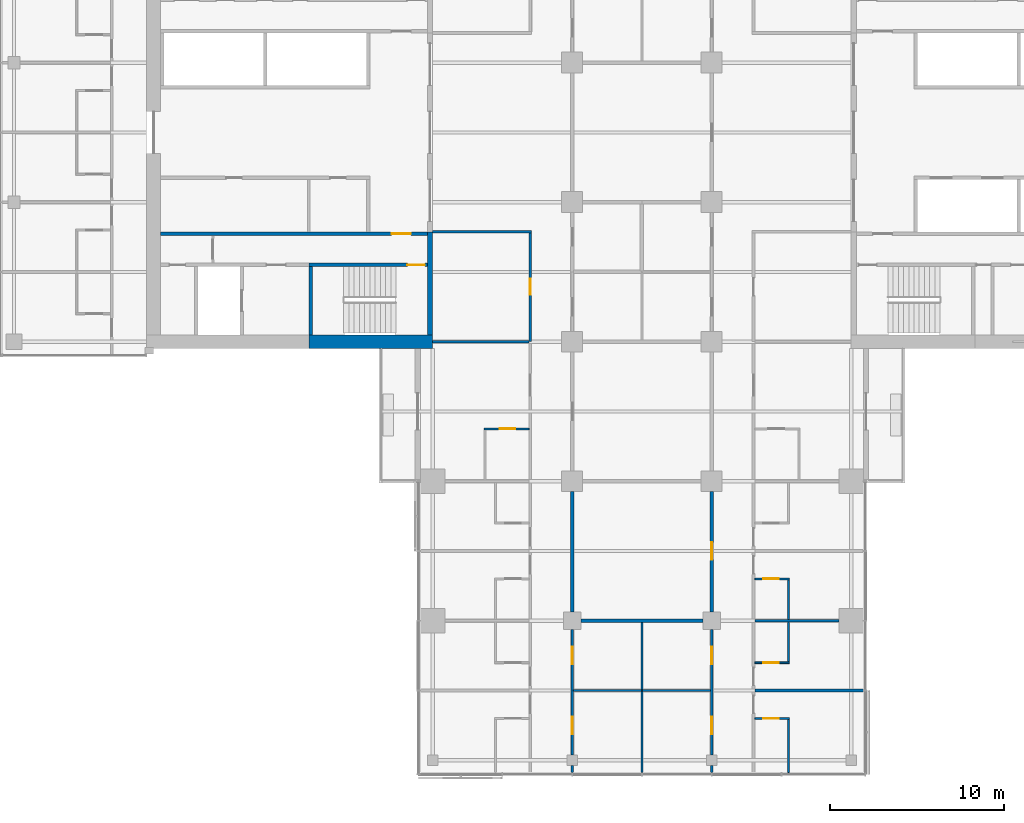
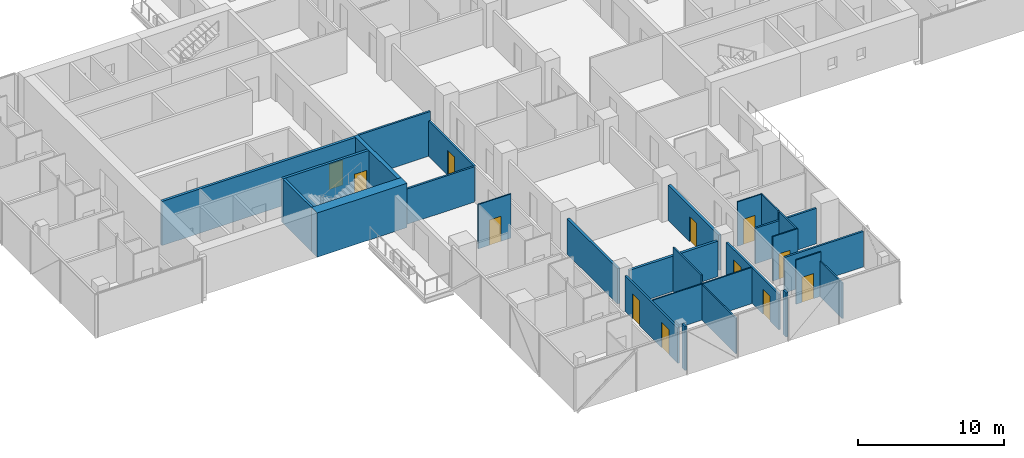
# One storey, part 16 of 29: 27 walls, 12 doors, 12 openings.
"""IFC4 building model written with IfcOpenShell, lengths in metres."""

from ifc_helpers import new_model, si_unit, direction, frame, frame_2d, origin, place, context, subcontext, project, spatial, rectangle, extrude, material, layer, layer_set, constituent, constituent_set, type_object, element, fill, save


model = new_model("IFC4")

# Units and contexts
model_context = context("Model", 3, precision=1e-05, world=origin(), true_north=direction((0.0, 1.0)))
body_context = subcontext(model_context, "Body", "Model", "MODEL_VIEW")
ifc_project = project(units=[si_unit("LENGTHUNIT", "METRE"), si_unit("AREAUNIT", "SQUARE_METRE"), si_unit("VOLUMEUNIT", "CUBIC_METRE"), si_unit("PLANEANGLEUNIT", "RADIAN"), si_unit("MASSUNIT", "GRAM", prefix="KILO")], contexts=[model_context])

# Site, building, storey
site_placement = place(None, origin())
site = spatial("IfcSite", under=ifc_project, at=site_placement, CompositionType="ELEMENT")
building_placement = place(site_placement, origin())
building = spatial("IfcBuilding", under=site, at=building_placement, Name="Crosswind Convention Tower", CompositionType="ELEMENT")
storey_placement = place(building_placement, frame((0.0, 0.0, 57.199951171875)))
storey = spatial("IfcBuildingStorey", under=building, at=storey_placement, Name="L08", CompositionType="ELEMENT", Elevation=57.199951171875)

# Wall
ifc_material_1 = material(Name="Plasterboard partition", Category="gypsum")
ifc_layer_1 = layer(ifc_material_1, 0.14990234375)
ifc_layer_set_1 = layer_set([ifc_layer_1], Name="CORRIDOR WALL 150")
wall_type_1 = type_object("IfcWallType", Name="CORRIDOR WALL 150", PredefinedType="PARTITIONING", material=ifc_layer_set_1)
wall_1_placement = place(storey_placement, frame((113.0, 94.300048828125, 0.0), z_axis=(0.0, 0.0, 1.0), x_axis=(1.0, 0.0, 0.0)))
element("IfcWall", 1, at=wall_1_placement, inside=storey, type_object=wall_type_1, Name="Corridor Wall 31", PredefinedType="PARTITIONING", context=body_context, shape_type="SweptSolid", body=[
    extrude(rectangle(XDim=5.675048828125, YDim=0.14990234375, at=frame_2d((2.83740234375, 0.0))), origin(), (0.0, 0.0, 1.0), 3.699951171875),
])

# Wall, opening, door
wall_2_placement = place(storey_placement, frame((118.60009765625, 88.0, 0.0), z_axis=(0.0, 0.0, 1.0), x_axis=(0.0, 1.0, 0.0)))
wall_2 = element("IfcWall", 2, at=wall_2_placement, inside=storey, type_object=wall_type_1, Name="Corridor Wall 104", PredefinedType="PARTITIONING", context=body_context, shape_type="SweptSolid", body=[
    extrude(rectangle(XDim=6.22509765625, YDim=0.14990234375, at=frame_2d((3.112548828125, 0.0))), origin(), (0.0, 0.0, 1.0), 2.95654296875),
])
opening_1_placement = place(wall_2_placement, frame((2.699951171875, 0.0, 0.0)))
opening_1 = element("IfcOpeningElement", 3, at=opening_1_placement, cuts=wall_2, Name="Opening 08.004", PredefinedType="OPENING", context=body_context, shape_type="SweptSolid", body=[
    extrude(rectangle(XDim=0.89990234375, YDim=2.10009765625, at=frame_2d((0.449951171875, 1.050048828125))), frame((0.0, 0.0849609375, 0.0), z_axis=(0.0, -1.0, 0.0), x_axis=(1.0, 0.0, 0.0)), (0.0, 0.0, 1.0), 0.169921875),
])
ifc_material_2 = material(Name="Timber door", Category="wood")
door_type_1 = type_object("IfcDoorType", Name="WC DOOR 900X2100", OperationType="NOTDEFINED", PredefinedType="DOOR", material=ifc_material_2)
door_1_placement = place(opening_1_placement, origin())
door_1 = element("IfcDoor", 4, at=door_1_placement, inside=storey, type_object=door_type_1, Name="Door 08.004", ObjectType="D7", OperationType="SINGLE_SWING_RIGHT", OverallHeight=2.10009765625, OverallWidth=0.89990234375, PredefinedType="DOOR", context=body_context, shape_type="SweptSolid", body=[
    extrude(rectangle(XDim=0.89990234375, YDim=2.10009765625, at=frame_2d((0.449951171875, 1.050048828125))), frame((0.0, 0.02490234375, 0.0), z_axis=(0.0, -1.0, 0.0), x_axis=(1.0, 0.0, 0.0)), (0.0, 0.0, 1.0), 0.050048828125),
])
fill(opening_1, door_1)

# Wall
wall_3_placement = place(storey_placement, frame((121.0, 63.300048828125, 0.0), z_axis=(0.0, 0.0, 1.0), x_axis=(0.0, 1.0, 0.0)))
element("IfcWall", 5, at=wall_3_placement, inside=storey, type_object=wall_type_1, Name="Corridor Wall 107", PredefinedType="PARTITIONING", context=body_context, shape_type="SweptSolid", body=[
    extrude(rectangle(XDim=0.39990234375, YDim=0.14990234375, at=frame_2d((0.199951171875, 0.0))), origin(), (0.0, 0.0, 1.0), 3.699951171875),
])

# Wall, openings, doors
wall_4_placement = place(storey_placement, frame((121.0, 64.300048828125, 0.0), z_axis=(0.0, 0.0, 1.0), x_axis=(0.0, 1.0, 0.0)))
wall_4 = element("IfcWall", 6, at=wall_4_placement, inside=storey, type_object=wall_type_1, Name="Corridor Wall 108", PredefinedType="PARTITIONING", context=body_context, shape_type="SweptSolid", body=[
    extrude(rectangle(XDim=7.199951171875, YDim=0.14990234375, at=frame_2d((3.60009765625, 0.0))), origin(), (0.0, 0.0, 1.0), 2.9599609375),
])
opening_2_placement = place(wall_4_placement, frame((1.199951171875, 0.0, 0.0)))
opening_2 = element("IfcOpeningElement", 7, at=opening_2_placement, cuts=wall_4, Name="Opening 08.069", PredefinedType="OPENING", context=body_context, shape_type="SweptSolid", body=[
    extrude(rectangle(XDim=1.0, YDim=2.10009765625, at=frame_2d((0.5, 1.050048828125))), frame((0.0, 0.0849609375, 0.0), z_axis=(0.0, -1.0, 0.0), x_axis=(1.0, 0.0, 0.0)), (0.0, 0.0, 1.0), 0.169921875),
])
opening_3_placement = place(wall_4_placement, frame((5.199951171875, 0.0, 0.0)))
opening_3 = element("IfcOpeningElement", 8, at=opening_3_placement, cuts=wall_4, Name="Opening 08.070", PredefinedType="OPENING", context=body_context, shape_type="SweptSolid", body=[
    extrude(rectangle(XDim=1.0, YDim=2.10009765625, at=frame_2d((0.5, 1.050048828125))), frame((0.0, 0.0849609375, 0.0), z_axis=(0.0, -1.0, 0.0), x_axis=(1.0, 0.0, 0.0)), (0.0, 0.0, 1.0), 0.169921875),
])
ifc_material_3 = material(Name="Timber fire door", Category="wood")
door_type_2 = type_object("IfcDoorType", Name="SERVICE ROOM DOOR 1000X2100", OperationType="NOTDEFINED", PredefinedType="DOOR", material=ifc_material_3)
door_2_placement = place(opening_2_placement, frame((1.0, 0.0, 0.0), z_axis=(0.0, 0.0, 1.0), x_axis=(-1.0, 0.0, 0.0)))
door_2 = element("IfcDoor", 9, at=door_2_placement, inside=storey, type_object=door_type_2, Name="Door 08.069", ObjectType="D3", OperationType="SINGLE_SWING_RIGHT", OverallHeight=2.10009765625, OverallWidth=1.0, PredefinedType="DOOR", context=body_context, shape_type="SweptSolid", body=[
    extrude(rectangle(XDim=1.0, YDim=2.10009765625, at=frame_2d((0.5, 1.050048828125))), frame((0.0, 0.02490234375, 0.0), z_axis=(0.0, -1.0, 0.0), x_axis=(1.0, 0.0, 0.0)), (0.0, 0.0, 1.0), 0.050048828125),
])
fill(opening_2, door_2)
door_3_placement = place(opening_3_placement, frame((1.0, 0.0, 0.0), z_axis=(0.0, 0.0, 1.0), x_axis=(-1.0, 0.0, 0.0)))
door_3 = element("IfcDoor", 10, at=door_3_placement, inside=storey, type_object=door_type_2, Name="Door 08.070", ObjectType="D3", OperationType="SINGLE_SWING_LEFT", OverallHeight=2.10009765625, OverallWidth=1.0, PredefinedType="DOOR", context=body_context, shape_type="SweptSolid", body=[
    extrude(rectangle(XDim=1.0, YDim=2.10009765625, at=frame_2d((0.5, 1.050048828125))), frame((0.0, 0.02490234375, 0.0), z_axis=(0.0, -1.0, 0.0), x_axis=(1.0, 0.0, 0.0)), (0.0, 0.0, 1.0), 0.050048828125),
])
fill(opening_3, door_3)

# Wall
wall_5_placement = place(storey_placement, frame((129.0, 63.300048828125, 0.0), z_axis=(0.0, 0.0, 1.0), x_axis=(0.0, 1.0, 0.0)))
element("IfcWall", 11, at=wall_5_placement, inside=storey, type_object=wall_type_1, Name="Corridor Wall 128", PredefinedType="PARTITIONING", context=body_context, shape_type="SweptSolid", body=[
    extrude(rectangle(XDim=0.39990234375, YDim=0.14990234375, at=frame_2d((0.199951171875, 0.0))), origin(), (0.0, 0.0, 1.0), 3.699951171875),
])

# Wall, openings, doors
wall_6_placement = place(storey_placement, frame((129.0, 64.300048828125, 0.0), z_axis=(0.0, 0.0, 1.0), x_axis=(0.0, 1.0, 0.0)))
wall_6 = element("IfcWall", 12, at=wall_6_placement, inside=storey, type_object=wall_type_1, Name="Corridor Wall 129", PredefinedType="PARTITIONING", context=body_context, shape_type="SweptSolid", body=[
    extrude(rectangle(XDim=7.199951171875, YDim=0.14990234375, at=frame_2d((3.60009765625, 0.0))), origin(), (0.0, 0.0, 1.0), 2.9599609375),
])
opening_4_placement = place(wall_6_placement, frame((1.199951171875, 0.0, 0.0)))
opening_4 = element("IfcOpeningElement", 13, at=opening_4_placement, cuts=wall_6, Name="Opening 08.071", PredefinedType="OPENING", context=body_context, shape_type="SweptSolid", body=[
    extrude(rectangle(XDim=1.0, YDim=2.10009765625, at=frame_2d((0.5, 1.050048828125))), frame((0.0, 0.0849609375, 0.0), z_axis=(0.0, -1.0, 0.0), x_axis=(1.0, 0.0, 0.0)), (0.0, 0.0, 1.0), 0.169921875),
])
opening_5_placement = place(wall_6_placement, frame((5.199951171875, 0.0, 0.0)))
opening_5 = element("IfcOpeningElement", 14, at=opening_5_placement, cuts=wall_6, Name="Opening 08.072", PredefinedType="OPENING", context=body_context, shape_type="SweptSolid", body=[
    extrude(rectangle(XDim=1.0, YDim=2.10009765625, at=frame_2d((0.5, 1.050048828125))), frame((0.0, 0.0849609375, 0.0), z_axis=(0.0, -1.0, 0.0), x_axis=(1.0, 0.0, 0.0)), (0.0, 0.0, 1.0), 0.169921875),
])
door_4_placement = place(opening_4_placement, origin())
door_4 = element("IfcDoor", 15, at=door_4_placement, inside=storey, type_object=door_type_2, Name="Door 08.071", ObjectType="D3", OperationType="SINGLE_SWING_LEFT", OverallHeight=2.10009765625, OverallWidth=1.0, PredefinedType="DOOR", context=body_context, shape_type="SweptSolid", body=[
    extrude(rectangle(XDim=1.0, YDim=2.10009765625, at=frame_2d((0.5, 1.050048828125))), frame((0.0, 0.02490234375, 0.0), z_axis=(0.0, -1.0, 0.0), x_axis=(1.0, 0.0, 0.0)), (0.0, 0.0, 1.0), 0.050048828125),
])
fill(opening_4, door_4)
door_5_placement = place(opening_5_placement, origin())
door_5 = element("IfcDoor", 16, at=door_5_placement, inside=storey, type_object=door_type_2, Name="Door 08.072", ObjectType="D3", OperationType="SINGLE_SWING_RIGHT", OverallHeight=2.10009765625, OverallWidth=1.0, PredefinedType="DOOR", context=body_context, shape_type="SweptSolid", body=[
    extrude(rectangle(XDim=1.0, YDim=2.10009765625, at=frame_2d((0.5, 1.050048828125))), frame((0.0, 0.02490234375, 0.0), z_axis=(0.0, -1.0, 0.0), x_axis=(1.0, 0.0, 0.0)), (0.0, 0.0, 1.0), 0.050048828125),
])
fill(opening_5, door_5)

# Wall
ifc_material_4 = material(Name="Concrete C50/60", Category="concrete")
ifc_layer_2 = layer(ifc_material_4, 0.300048828125)
ifc_layer_set_2 = layer_set([ifc_layer_2], Name="Concrete C50/60")
wall_type_2 = type_object("IfcWallType", Name="Concrete inner core wall 300", PredefinedType="SHEAR", material=ifc_layer_set_2)
wall_7_placement = place(storey_placement, frame((112.85009765625, 94.300048828125, 0.0), z_axis=(0.0, 0.0, 1.0), x_axis=(0.0, -1.0, 0.0)))
element("IfcWall", 17, at=wall_7_placement, inside=storey, type_object=wall_type_2, Name="Wall EP W L08", PredefinedType="SHEAR", context=body_context, shape_type="SweptSolid", body=[
    extrude(rectangle(XDim=5.900146484375, YDim=0.300048828125, at=frame_2d((2.9501953125, 0.0))), origin(), (0.0, 0.0, 1.0), 3.699951171875),
])

# Wall, opening, door
ifc_layer_3 = layer(ifc_material_4, 0.199951171875)
ifc_layer_set_3 = layer_set([ifc_layer_3], Name="Concrete C50/60")
wall_type_3 = type_object("IfcWallType", Name="Concrete shaft and stair wall 200", PredefinedType="SHEAR", material=ifc_layer_set_3)
wall_8_placement = place(storey_placement, frame((112.699951171875, 94.199951171875, 0.0), z_axis=(0.0, 0.0, 1.0), x_axis=(-1.0, 0.0, 0.0)))
wall_8 = element("IfcWall", 18, at=wall_8_placement, inside=storey, type_object=wall_type_3, Name="Wall HP W L08", PredefinedType="SHEAR", context=body_context, shape_type="SweptSolid", body=[
    extrude(rectangle(XDim=15.300048828125, YDim=0.199951171875, at=frame_2d((7.64990234375, 0.0))), origin(), (0.0, 0.0, 1.0), 3.699951171875),
])
opening_6_placement = place(wall_8_placement, frame((0.949951171875, 0.0, 0.0)))
opening_6 = element("IfcOpeningElement", 19, at=opening_6_placement, cuts=wall_8, Name="Opening D104", PredefinedType="OPENING", context=body_context, shape_type="SweptSolid", body=[
    extrude(rectangle(XDim=1.10009765625, YDim=2.10009765625, at=frame_2d((0.550048828125, 1.050048828125))), frame((0.0, 0.10986328125, 0.0), z_axis=(0.0, -1.0, 0.0), x_axis=(1.0, 0.0, 0.0)), (0.0, 0.0, 1.0), 0.219970703125),
])
ifc_material_5 = material(Name="Steel fire door", Category="steel")
door_type_3 = type_object("IfcDoorType", Name="Fire-rated single door 1100x2100", OperationType="NOTDEFINED", PredefinedType="DOOR", material=ifc_material_5)
door_6_placement = place(opening_6_placement, origin())
door_6 = element("IfcDoor", 20, at=door_6_placement, inside=storey, type_object=door_type_3, Name="Corridor door L08", ObjectType="D104", OperationType="SINGLE_SWING_LEFT", OverallHeight=2.10009765625, OverallWidth=1.10009765625, PredefinedType="DOOR", context=body_context, shape_type="SweptSolid", body=[
    extrude(rectangle(XDim=1.10009765625, YDim=2.10009765625, at=frame_2d((0.550048828125, 1.050048828125))), frame((0.0, 0.02490234375, 0.0), z_axis=(0.0, -1.0, 0.0), x_axis=(1.0, 0.0, 0.0)), (0.0, 0.0, 1.0), 0.050048828125),
])
fill(opening_6, door_6)

# Wall
wall_9_placement = place(storey_placement, frame((106.0, 92.300048828125, 0.0), z_axis=(0.0, 0.0, 1.0), x_axis=(0.0, -1.0, 0.0)))
element("IfcWall", 21, at=wall_9_placement, inside=storey, type_object=wall_type_3, Name="Wall PSE W L08", PredefinedType="SHEAR", context=body_context, shape_type="SweptSolid", body=[
    extrude(rectangle(XDim=3.900146484375, YDim=0.199951171875, at=frame_2d((1.9501953125, 0.0))), origin(), (0.0, 0.0, 1.0), 3.699951171875),
])

# Wall, opening, door
wall_10_placement = place(storey_placement, frame((112.699951171875, 92.39990234375, 0.0), z_axis=(0.0, 0.0, 1.0), x_axis=(-1.0, 0.0, 0.0)))
wall_10 = element("IfcWall", 22, at=wall_10_placement, inside=storey, type_object=wall_type_3, Name="Wall PCW W L08", PredefinedType="SHEAR", context=body_context, shape_type="SweptSolid", body=[
    extrude(rectangle(XDim=6.800048828125, YDim=0.199951171875, at=frame_2d((3.39990234375, 0.0))), origin(), (0.0, 0.0, 1.0), 3.699951171875),
])
opening_7_placement = place(wall_10_placement, frame((0.14990234375, 0.0, 0.0)))
opening_7 = element("IfcOpeningElement", 23, at=opening_7_placement, cuts=wall_10, Name="Opening D103", PredefinedType="OPENING", context=body_context, shape_type="SweptSolid", body=[
    extrude(rectangle(XDim=1.0, YDim=2.10009765625, at=frame_2d((0.5, 1.050048828125))), frame((0.0, 0.10986328125, 0.0), z_axis=(0.0, -1.0, 0.0), x_axis=(1.0, 0.0, 0.0)), (0.0, 0.0, 1.0), 0.219970703125),
])
door_type_4 = type_object("IfcDoorType", Name="Fire-rated single door 1000x2100", OperationType="NOTDEFINED", PredefinedType="DOOR", material=ifc_material_5)
door_7_placement = place(opening_7_placement, origin())
door_7 = element("IfcDoor", 24, at=door_7_placement, inside=storey, type_object=door_type_4, Name="Stair ST3 door L08", ObjectType="D103", OperationType="SINGLE_SWING_LEFT", OverallHeight=2.10009765625, OverallWidth=1.0, PredefinedType="DOOR", context=body_context, shape_type="SweptSolid", body=[
    extrude(rectangle(XDim=1.0, YDim=2.10009765625, at=frame_2d((0.5, 1.050048828125))), frame((0.0, 0.02490234375, 0.0), z_axis=(0.0, -1.0, 0.0), x_axis=(1.0, 0.0, 0.0)), (0.0, 0.0, 1.0), 0.050048828125),
])
fill(opening_7, door_7)

# Walls
ifc_material_6 = material(Name="Acoustic plasterboard partition", Category="gypsum")
ifc_layer_4 = layer(ifc_material_6, 0.14990234375)
ifc_layer_set_4 = layer_set([ifc_layer_4], Name="GUEST ROOM WALL 150")
wall_type_4 = type_object("IfcWallType", Name="GUEST ROOM WALL 150", PredefinedType="PARTITIONING", material=ifc_layer_set_4)
wall_11_placement = place(storey_placement, frame((131.47509765625, 68.0, 0.0), z_axis=(0.0, 0.0, 1.0), x_axis=(1.0, 0.0, 0.0)))
element("IfcWall", 25, at=wall_11_placement, inside=storey, type_object=wall_type_4, Name="Guest Room Wall 5", PredefinedType="PARTITIONING", context=body_context, shape_type="SweptSolid", body=[
    extrude(rectangle(XDim=6.224853515625, YDim=0.14990234375, at=frame_2d((3.1123046875, 0.0))), origin(), (0.0, 0.0, 1.0), 2.962890625),
])
wall_12_placement = place(storey_placement, frame((131.47509765625, 72.0, 0.0), z_axis=(0.0, 0.0, 1.0), x_axis=(1.0, 0.0, 0.0)))
element("IfcWall", 26, at=wall_12_placement, inside=storey, type_object=wall_type_4, Name="Guest Room Wall 10", PredefinedType="PARTITIONING", context=body_context, shape_type="SweptSolid", body=[
    extrude(rectangle(XDim=4.824951171875, YDim=0.14990234375, at=frame_2d((2.41259765625, 0.0))), origin(), (0.0, 0.0, 1.0), 2.9599609375),
])
wall_13_placement = place(storey_placement, frame((113.0, 88.0, 0.0), z_axis=(0.0, 0.0, 1.0), x_axis=(1.0, 0.0, 0.0)))
element("IfcWall", 27, at=wall_13_placement, inside=storey, type_object=wall_type_4, Name="Guest Room Wall 22", PredefinedType="PARTITIONING", context=body_context, shape_type="SweptSolid", body=[
    extrude(rectangle(XDim=5.52490234375, YDim=0.14990234375, at=frame_2d((2.762451171875, 0.0))), origin(), (0.0, 0.0, 1.0), 2.95654296875),
])
ifc_material_7 = material(Name="Double plasterboard partition", Category="gypsum")
ifc_layer_5 = layer(ifc_material_7, 0.199951171875)
ifc_layer_set_5 = layer_set([ifc_layer_5], Name="HALL WALL 200")
wall_type_5 = type_object("IfcWallType", Name="HALL WALL 200", PredefinedType="PARTITIONING", material=ifc_layer_set_5)
wall_14_placement = place(storey_placement, frame((121.5, 72.0, 0.0), z_axis=(0.0, 0.0, 1.0), x_axis=(1.0, 0.0, 0.0)))
element("IfcWall", 28, at=wall_14_placement, inside=storey, type_object=wall_type_5, Name="Hall Wall 9", PredefinedType="PARTITIONING", context=body_context, shape_type="SweptSolid", body=[
    extrude(rectangle(XDim=7.0, YDim=0.199951171875, at=frame_2d((3.5, 0.0))), origin(), (0.0, 0.0, 1.0), 2.9599609375),
])
wall_15_placement = place(storey_placement, frame((121.0, 72.5, 0.0), z_axis=(0.0, 0.0, 1.0), x_axis=(0.0, 1.0, 0.0)))
element("IfcWall", 29, at=wall_15_placement, inside=storey, type_object=wall_type_5, Name="Hall Wall 109", PredefinedType="PARTITIONING", context=body_context, shape_type="SweptSolid", body=[
    extrude(rectangle(XDim=6.89990234375, YDim=0.199951171875, at=frame_2d((3.449951171875, 0.0))), origin(), (0.0, 0.0, 1.0), 2.9599609375),
])

# Wall, opening, door
wall_16_placement = place(storey_placement, frame((129.0, 72.5, 0.0), z_axis=(0.0, 0.0, 1.0), x_axis=(0.0, 1.0, 0.0)))
wall_16 = element("IfcWall", 30, at=wall_16_placement, inside=storey, type_object=wall_type_5, Name="Hall Wall 130", PredefinedType="PARTITIONING", context=body_context, shape_type="SweptSolid", body=[
    extrude(rectangle(XDim=6.89990234375, YDim=0.199951171875, at=frame_2d((3.449951171875, 0.0))), origin(), (0.0, 0.0, 1.0), 2.9599609375),
])
opening_8_placement = place(wall_16_placement, frame((3.0, 0.0, 0.0)))
opening_8 = element("IfcOpeningElement", 31, at=opening_8_placement, cuts=wall_16, Name="Opening 08.073", PredefinedType="OPENING", context=body_context, shape_type="SweptSolid", body=[
    extrude(rectangle(XDim=1.0, YDim=2.10009765625, at=frame_2d((0.5, 1.050048828125))), frame((0.0, 0.10986328125, 0.0), z_axis=(0.0, -1.0, 0.0), x_axis=(1.0, 0.0, 0.0)), (0.0, 0.0, 1.0), 0.219970703125),
])
door_type_5 = type_object("IfcDoorType", Name="MEETING ROOM DOOR 1000X2100", OperationType="NOTDEFINED", PredefinedType="DOOR", material=ifc_material_3)
door_8_placement = place(opening_8_placement, frame((1.0, 0.0, 0.0), z_axis=(0.0, 0.0, 1.0), x_axis=(-1.0, 0.0, 0.0)))
door_8 = element("IfcDoor", 32, at=door_8_placement, inside=storey, type_object=door_type_5, Name="Door 08.073", ObjectType="D13", OperationType="SINGLE_SWING_LEFT", OverallHeight=2.10009765625, OverallWidth=1.0, PredefinedType="DOOR", context=body_context, shape_type="SweptSolid", body=[
    extrude(rectangle(XDim=1.0, YDim=2.10009765625, at=frame_2d((0.5, 1.050048828125))), frame((0.0, 0.02490234375, 0.0), z_axis=(0.0, -1.0, 0.0), x_axis=(1.0, 0.0, 0.0)), (0.0, 0.0, 1.0), 0.050048828125),
])
fill(opening_8, door_8)

# Walls
ifc_layer_6 = layer(ifc_material_1, 0.10009765625)
ifc_layer_set_6 = layer_set([ifc_layer_6], Name="PARTITION 100")
wall_type_6 = type_object("IfcWallType", Name="PARTITION 100", PredefinedType="PARTITIONING", material=ifc_layer_set_6)
wall_17_placement = place(storey_placement, frame((121.074951171875, 68.0, 0.0), z_axis=(0.0, 0.0, 1.0), x_axis=(1.0, 0.0, 0.0)))
element("IfcWall", 33, at=wall_17_placement, inside=storey, type_object=wall_type_6, Name="Partition 4", PredefinedType="PARTITIONING", context=body_context, shape_type="SweptSolid", body=[
    extrude(rectangle(XDim=7.85009765625, YDim=0.10009765625, at=frame_2d((3.925048828125, 0.0))), origin(), (0.0, 0.0, 1.0), 3.013671875),
])
wall_18_placement = place(storey_placement, frame((125.0, 63.300048828125, 0.0), z_axis=(0.0, 0.0, 1.0), x_axis=(0.0, 1.0, 0.0)))
element("IfcWall", 34, at=wall_18_placement, inside=storey, type_object=wall_type_6, Name="Partition 120", PredefinedType="PARTITIONING", context=body_context, shape_type="SweptSolid", body=[
    extrude(rectangle(XDim=4.64990234375, YDim=0.10009765625, at=frame_2d((2.324951171875, 0.0))), origin(), (0.0, 0.0, 1.0), 2.962890625),
])
wall_19_placement = place(storey_placement, frame((125.0, 68.050048828125, 0.0), z_axis=(0.0, 0.0, 1.0), x_axis=(0.0, 1.0, 0.0)))
element("IfcWall", 35, at=wall_19_placement, inside=storey, type_object=wall_type_6, Name="Partition 121", PredefinedType="PARTITIONING", context=body_context, shape_type="SweptSolid", body=[
    extrude(rectangle(XDim=3.849853515625, YDim=0.10009765625, at=frame_2d((1.9248046875, 0.0))), origin(), (0.0, 0.0, 1.0), 3.699951171875),
])
ifc_material_8 = material(Name="Concrete C60/75", Category="concrete")
ifc_constituent_1 = constituent(ifc_material_8, Name="Structure")
ifc_material_9 = material(Name="Terracotta rainscreen", Category="ceramic")
ifc_constituent_2 = constituent(ifc_material_9, Name="Facing")
ifc_constituent_set = constituent_set(constituents=[ifc_constituent_1, ifc_constituent_2], Name="Concrete C60/75, Terracotta rainscreen")
wall_type_7 = type_object("IfcWallType", Name="Terracotta rainscreen on concrete core wall 800", PredefinedType="SHEAR", material=ifc_constituent_set)
wall_20_placement = place(storey_placement, frame((113.0, 88.0, 0.0), z_axis=(0.0, 0.0, 1.0), x_axis=(-1.0, 0.0, 0.0)))
element("IfcWall", 36, at=wall_20_placement, inside=storey, type_object=wall_type_7, Name="Wall N1 W L08", PredefinedType="SHEAR", context=body_context, shape_type="SweptSolid", body=[
    extrude(rectangle(XDim=7.10009765625, YDim=0.800048828125, at=frame_2d((3.550048828125, 0.0))), origin(), (0.0, 0.0, 1.0), 3.699951171875),
])

# Wall, opening, door
ifc_material_10 = material(Name="Water-resistant plasterboard partition", Category="gypsum")
ifc_layer_7 = layer(ifc_material_10, 0.10009765625)
ifc_layer_set_7 = layer_set([ifc_layer_7], Name="WET ROOM PARTITION 100")
wall_type_8 = type_object("IfcWallType", Name="WET ROOM PARTITION 100", PredefinedType="PLUMBINGWALL", material=ifc_layer_set_7)
wall_21_placement = place(storey_placement, frame((131.47509765625, 66.39990234375, 0.0), z_axis=(0.0, 0.0, 1.0), x_axis=(1.0, 0.0, 0.0)))
wall_21 = element("IfcWall", 37, at=wall_21_placement, inside=storey, type_object=wall_type_8, Name="Wet Room Partition 2", PredefinedType="PLUMBINGWALL", context=body_context, shape_type="SweptSolid", body=[
    extrude(rectangle(XDim=1.974853515625, YDim=0.10009765625, at=frame_2d((0.9873046875, 0.0))), origin(), (0.0, 0.0, 1.0), 3.699951171875),
])
opening_9_placement = place(wall_21_placement, frame((0.47509765625, 0.0, 0.0)))
opening_9 = element("IfcOpeningElement", 38, at=opening_9_placement, cuts=wall_21, Name="Opening 08.034", PredefinedType="OPENING", context=body_context, shape_type="SweptSolid", body=[
    extrude(rectangle(XDim=0.89990234375, YDim=2.10009765625, at=frame_2d((0.449951171875, 1.050048828125))), frame((0.0, 0.06005859375, 0.0), z_axis=(0.0, -1.0, 0.0), x_axis=(1.0, 0.0, 0.0)), (0.0, 0.0, 1.0), 0.1201171875),
])
door_type_6 = type_object("IfcDoorType", Name="EN-SUITE DOOR 900X2100", OperationType="NOTDEFINED", PredefinedType="DOOR", material=ifc_material_2)
door_9_placement = place(opening_9_placement, frame((0.89990234375, 0.0, 0.0), z_axis=(0.0, 0.0, 1.0), x_axis=(-1.0, 0.0, 0.0)))
door_9 = element("IfcDoor", 39, at=door_9_placement, inside=storey, type_object=door_type_6, Name="Door 08.034", ObjectType="D2", OperationType="SINGLE_SWING_LEFT", OverallHeight=2.10009765625, OverallWidth=0.89990234375, PredefinedType="DOOR", context=body_context, shape_type="SweptSolid", body=[
    extrude(rectangle(XDim=0.89990234375, YDim=2.10009765625, at=frame_2d((0.449951171875, 1.050048828125))), frame((0.0, 0.02490234375, 0.0), z_axis=(0.0, -1.0, 0.0), x_axis=(1.0, 0.0, 0.0)), (0.0, 0.0, 1.0), 0.050048828125),
])
fill(opening_9, door_9)

wall_22_placement = place(storey_placement, frame((131.47509765625, 69.60009765625, 0.0), z_axis=(0.0, 0.0, 1.0), x_axis=(1.0, 0.0, 0.0)))
wall_22 = element("IfcWall", 40, at=wall_22_placement, inside=storey, type_object=wall_type_8, Name="Wet Room Partition 7", PredefinedType="PLUMBINGWALL", context=body_context, shape_type="SweptSolid", body=[
    extrude(rectangle(XDim=1.974853515625, YDim=0.10009765625, at=frame_2d((0.9873046875, 0.0))), origin(), (0.0, 0.0, 1.0), 3.699951171875),
])
opening_10_placement = place(wall_22_placement, frame((0.47509765625, 0.0, 0.0)))
opening_10 = element("IfcOpeningElement", 41, at=opening_10_placement, cuts=wall_22, Name="Opening 08.032", PredefinedType="OPENING", context=body_context, shape_type="SweptSolid", body=[
    extrude(rectangle(XDim=0.89990234375, YDim=2.10009765625, at=frame_2d((0.449951171875, 1.050048828125))), frame((0.0, 0.06005859375, 0.0), z_axis=(0.0, -1.0, 0.0), x_axis=(1.0, 0.0, 0.0)), (0.0, 0.0, 1.0), 0.1201171875),
])
door_10_placement = place(opening_10_placement, origin())
door_10 = element("IfcDoor", 42, at=door_10_placement, inside=storey, type_object=door_type_6, Name="Door 08.032", ObjectType="D2", OperationType="SINGLE_SWING_RIGHT", OverallHeight=2.10009765625, OverallWidth=0.89990234375, PredefinedType="DOOR", context=body_context, shape_type="SweptSolid", body=[
    extrude(rectangle(XDim=0.89990234375, YDim=2.10009765625, at=frame_2d((0.449951171875, 1.050048828125))), frame((0.0, 0.02490234375, 0.0), z_axis=(0.0, -1.0, 0.0), x_axis=(1.0, 0.0, 0.0)), (0.0, 0.0, 1.0), 0.050048828125),
])
fill(opening_10, door_10)

wall_23_placement = place(storey_placement, frame((131.47509765625, 74.39990234375, 0.0), z_axis=(0.0, 0.0, 1.0), x_axis=(1.0, 0.0, 0.0)))
wall_23 = element("IfcWall", 43, at=wall_23_placement, inside=storey, type_object=wall_type_8, Name="Wet Room Partition 12", PredefinedType="PLUMBINGWALL", context=body_context, shape_type="SweptSolid", body=[
    extrude(rectangle(XDim=1.974853515625, YDim=0.10009765625, at=frame_2d((0.9873046875, 0.0))), origin(), (0.0, 0.0, 1.0), 3.699951171875),
])
opening_11_placement = place(wall_23_placement, frame((0.47509765625, 0.0, 0.0)))
opening_11 = element("IfcOpeningElement", 44, at=opening_11_placement, cuts=wall_23, Name="Opening 08.030", PredefinedType="OPENING", context=body_context, shape_type="SweptSolid", body=[
    extrude(rectangle(XDim=0.89990234375, YDim=2.10009765625, at=frame_2d((0.449951171875, 1.050048828125))), frame((0.0, 0.06005859375, 0.0), z_axis=(0.0, -1.0, 0.0), x_axis=(1.0, 0.0, 0.0)), (0.0, 0.0, 1.0), 0.1201171875),
])
door_11_placement = place(opening_11_placement, frame((0.89990234375, 0.0, 0.0), z_axis=(0.0, 0.0, 1.0), x_axis=(-1.0, 0.0, 0.0)))
door_11 = element("IfcDoor", 45, at=door_11_placement, inside=storey, type_object=door_type_6, Name="Door 08.030", ObjectType="D2", OperationType="SINGLE_SWING_LEFT", OverallHeight=2.10009765625, OverallWidth=0.89990234375, PredefinedType="DOOR", context=body_context, shape_type="SweptSolid", body=[
    extrude(rectangle(XDim=0.89990234375, YDim=2.10009765625, at=frame_2d((0.449951171875, 1.050048828125))), frame((0.0, 0.02490234375, 0.0), z_axis=(0.0, -1.0, 0.0), x_axis=(1.0, 0.0, 0.0)), (0.0, 0.0, 1.0), 0.050048828125),
])
fill(opening_11, door_11)

wall_24_placement = place(storey_placement, frame((115.949951171875, 83.0, 0.0), z_axis=(0.0, 0.0, 1.0), x_axis=(1.0, 0.0, 0.0)))
wall_24 = element("IfcWall", 46, at=wall_24_placement, inside=storey, type_object=wall_type_8, Name="Wet Room Partition 20", PredefinedType="PLUMBINGWALL", context=body_context, shape_type="SweptSolid", body=[
    extrude(rectangle(XDim=2.574951171875, YDim=0.10009765625, at=frame_2d((1.28759765625, 0.0))), origin(), (0.0, 0.0, 1.0), 3.699951171875),
])
opening_12_placement = place(wall_24_placement, frame((0.89990234375, 0.0, 0.0)))
opening_12 = element("IfcOpeningElement", 47, at=opening_12_placement, cuts=wall_24, Name="Opening 08.036", PredefinedType="OPENING", context=body_context, shape_type="SweptSolid", body=[
    extrude(rectangle(XDim=0.89990234375, YDim=2.10009765625, at=frame_2d((0.449951171875, 1.050048828125))), frame((0.0, 0.06005859375, 0.0), z_axis=(0.0, -1.0, 0.0), x_axis=(1.0, 0.0, 0.0)), (0.0, 0.0, 1.0), 0.1201171875),
])
door_12_placement = place(opening_12_placement, frame((0.89990234375, 0.0, 0.0), z_axis=(0.0, 0.0, 1.0), x_axis=(-1.0, 0.0, 0.0)))
door_12 = element("IfcDoor", 48, at=door_12_placement, inside=storey, type_object=door_type_6, Name="Door 08.036", ObjectType="D2", OperationType="SINGLE_SWING_LEFT", OverallHeight=2.10009765625, OverallWidth=0.89990234375, PredefinedType="DOOR", context=body_context, shape_type="SweptSolid", body=[
    extrude(rectangle(XDim=0.89990234375, YDim=2.10009765625, at=frame_2d((0.449951171875, 1.050048828125))), frame((0.0, 0.02490234375, 0.0), z_axis=(0.0, -1.0, 0.0), x_axis=(1.0, 0.0, 0.0)), (0.0, 0.0, 1.0), 0.050048828125),
])
fill(opening_12, door_12)

# Walls
wall_25_placement = place(storey_placement, frame((133.39990234375, 63.300048828125, 0.0), z_axis=(0.0, 0.0, 1.0), x_axis=(0.0, 1.0, 0.0)))
element("IfcWall", 49, at=wall_25_placement, inside=storey, type_object=wall_type_8, Name="Wet Room Partition 143", PredefinedType="PLUMBINGWALL", context=body_context, shape_type="SweptSolid", body=[
    extrude(rectangle(XDim=3.050048828125, YDim=0.10009765625, at=frame_2d((1.52490234375, 0.0))), origin(), (0.0, 0.0, 1.0), 2.962890625),
])
for number, where, z_axis, x_axis, name in (
    (50, (133.39990234375, 69.64990234375, 0.0), (0.0, 0.0, 1.0), (0.0, 1.0, 0.0), "Wet Room Partition 144"),
    (51, (133.39990234375, 72.074951171875, 0.0), (0.0, 0.0, 1.0), (0.0, 1.0, 0.0), "Wet Room Partition 145"),
):
    element("IfcWall", number, at=place(storey_placement, frame(where, z_axis=z_axis, x_axis=x_axis)), inside=storey, type_object=wall_type_8, Name=name, PredefinedType="PLUMBINGWALL", context=body_context, shape_type="SweptSolid", body=[
        extrude(rectangle(XDim=2.275146484375, YDim=0.10009765625, at=frame_2d((1.1376953125, 0.0))), origin(), (0.0, 0.0, 1.0), 3.699951171875),
    ])

save(model, "model.ifc")
